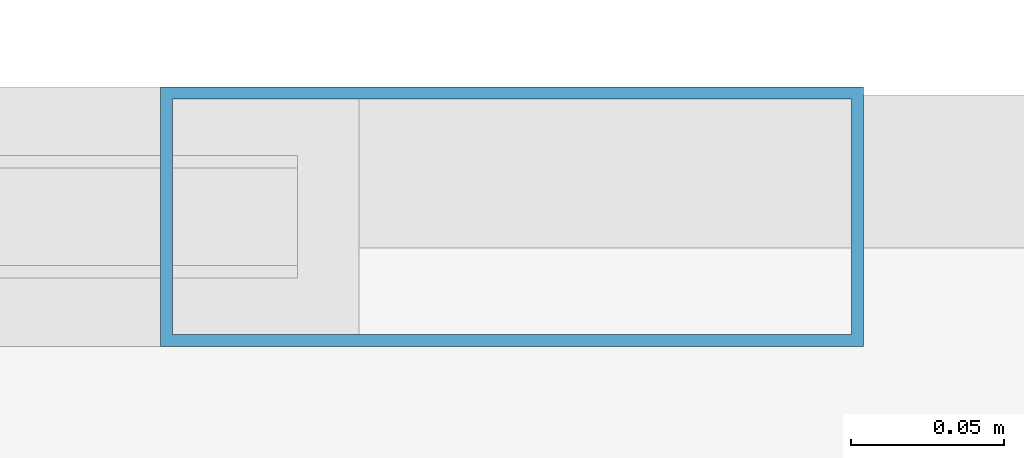
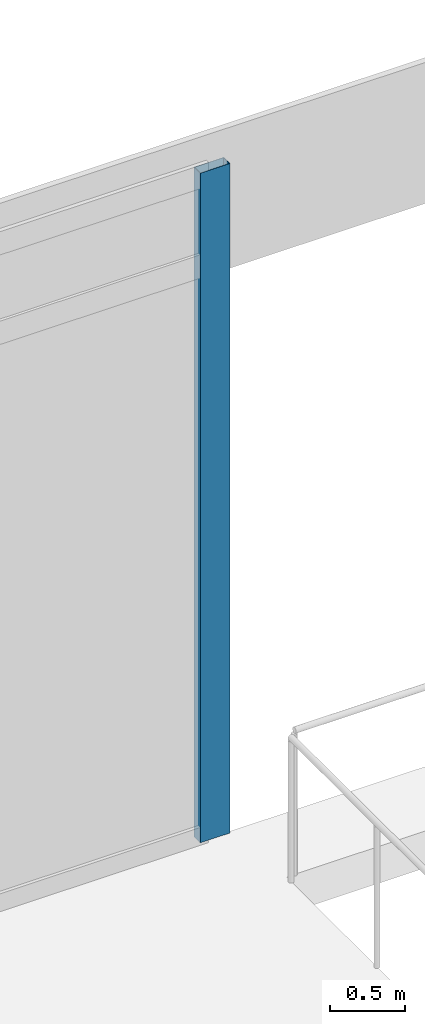
# One storey, part 15 of 25: 1 member, 1 element without a shape of its own.
"""IFC4 building model written with IfcOpenShell, lengths in metres."""

from ifc_helpers import new_model, si_unit, direction, frame, origin, origin_2d, place, context, subcontext, project, spatial, hollow_rectangle, extrude, material, material_profile, profile_set, type_object, element, aggregate, save


model = new_model("IFC4")

# Units and contexts
model_context = context("Model", 3, precision=1e-05, world=origin(), true_north=direction((0.0, 1.0)))
body_context = subcontext(model_context, "Body", "Model", "MODEL_VIEW")
ifc_project = project(units=[si_unit("LENGTHUNIT", "METRE"), si_unit("AREAUNIT", "SQUARE_METRE"), si_unit("VOLUMEUNIT", "CUBIC_METRE"), si_unit("PLANEANGLEUNIT", "RADIAN"), si_unit("MASSUNIT", "GRAM", prefix="KILO")], contexts=[model_context])

# Site, building, storey
site_placement = place(None, origin())
site = spatial("IfcSite", under=ifc_project, at=site_placement, CompositionType="ELEMENT")
building_placement = place(site_placement, origin())
building = spatial("IfcBuilding", under=site, at=building_placement, Name="Kovane Verandah Tower", CompositionType="ELEMENT")
storey_placement = place(building_placement, frame((0.0, 0.0, 295.199951171875)))
storey = spatial("IfcBuildingStorey", under=building, at=storey_placement, Name="L69", CompositionType="ELEMENT", Elevation=295.199951171875)

# Curtain wall, member
ifc_material_1 = material(Name="Champagne Anodised Aluminium Frame with Low-E Clear Laminated Glass", Category="aluminium")
curtain_wall_type = type_object("IfcCurtainWallType", Name="CW-SYS-05-HIGH", PredefinedType="NOTDEFINED", material=ifc_material_1)
curtain_wall_placement = place(storey_placement, origin())
curtain_wall = element("IfcCurtainWall", 1, at=curtain_wall_placement, inside=storey, type_object=curtain_wall_type, Name="L69 North-West Wind-Portal Curtain Wall 1", PredefinedType="NOTDEFINED")
ifc_material_2 = material(Name="Champagne Anodised Aluminium 6063-T6", Category="aluminium")
ifc_material_profile = material_profile(ifc_material_2, hollow_rectangle(XDim=0.0849609375, YDim=0.22998046875, WallThickness=0.00390625, at=origin_2d()), Name="AL85x230x4")
ifc_profile_set = profile_set([ifc_material_profile], Name="Champagne Anodised Aluminium 6063-T6")
member_type = type_object("IfcMemberType", Name="CW-MUL-85x230", PredefinedType="MULLION", material=ifc_profile_set)
member_placement = place(storey_placement, frame((33.300048828125, 49.24169921875, 0.02001953125), z_axis=(0.0, 0.0, 1.0), x_axis=(0.0, 1.0, 0.0)))
member = element("IfcMember", 2, at=member_placement, type_object=member_type, Name="L69 North-West Wind-Portal Curtain Wall 1 Mullion 1", PredefinedType="MULLION", context=body_context, shape_type="SweptSolid", body=[
    extrude(hollow_rectangle(XDim=0.0849609375, YDim=0.22998046875, WallThickness=0.00390625, at=origin_2d()), origin(), (0.0, 0.0, 1.0), 5.4599609375),
])
aggregate(curtain_wall, [member])

save(model, "model.ifc")
